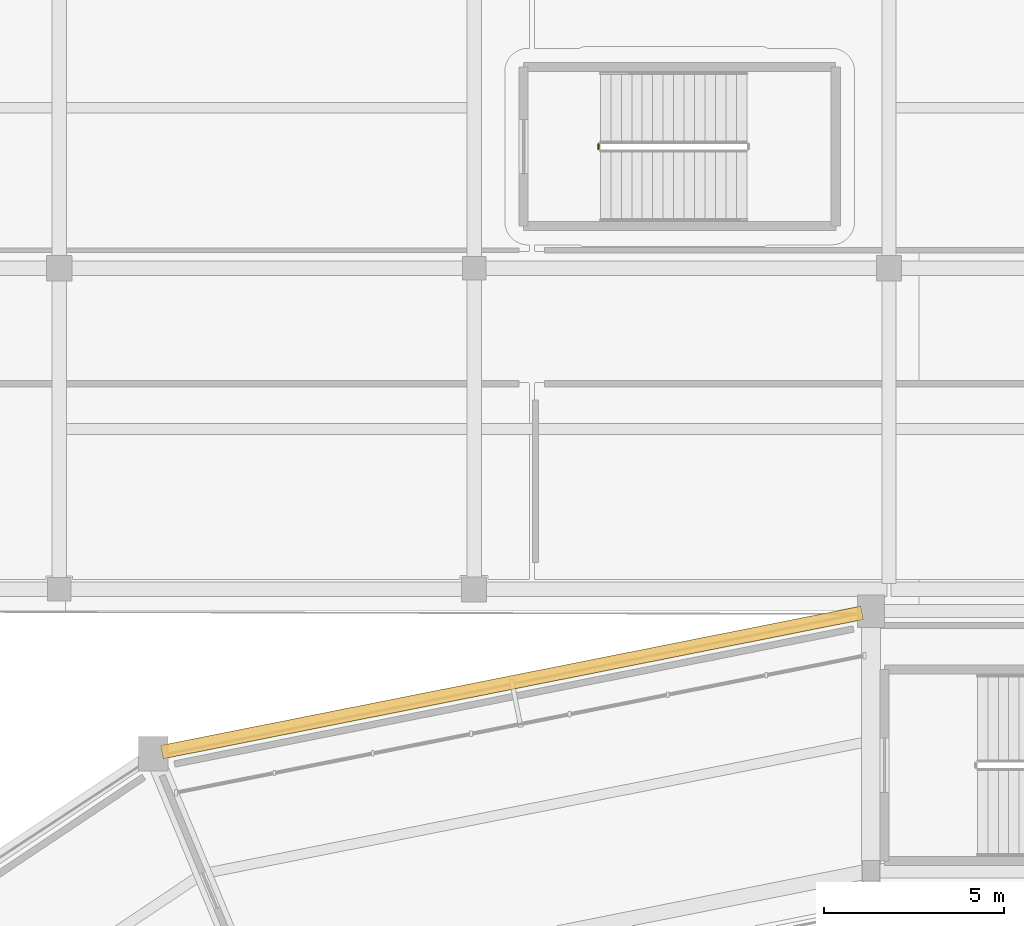
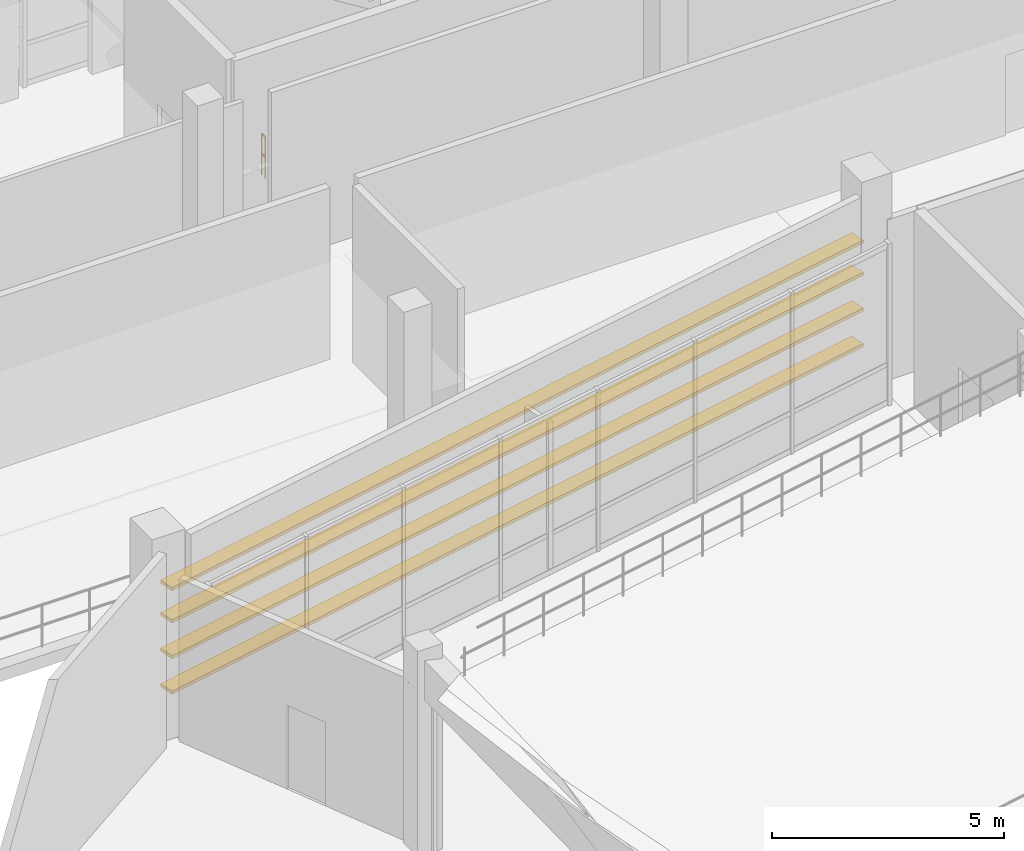
# One storey, part 120 of 127: 4 shading devices, 1 railing.
"""IFC4 building model written with IfcOpenShell, lengths in metres."""

from ifc_helpers import new_model, si_unit, direction, frame, origin, origin_2d, place, context, subcontext, project, spatial, rectangle, circle, extrude, material, layer, layer_set, type_object, element, save


model = new_model("IFC4")

# Units and contexts
model_context = context("Model", 3, precision=1e-05, world=origin(), true_north=direction((0.0, 1.0)))
body_context = subcontext(model_context, "Body", "Model", "MODEL_VIEW")
ifc_project = project(units=[si_unit("LENGTHUNIT", "METRE"), si_unit("AREAUNIT", "SQUARE_METRE"), si_unit("VOLUMEUNIT", "CUBIC_METRE"), si_unit("PLANEANGLEUNIT", "RADIAN"), si_unit("MASSUNIT", "GRAM", prefix="KILO")], contexts=[model_context])

# Site, building, storey
site_placement = place(None, origin())
site = spatial("IfcSite", under=ifc_project, at=site_placement, CompositionType="ELEMENT")
building_placement = place(site_placement, origin())
building = spatial("IfcBuilding", under=site, at=building_placement, Name="Candeia Ridge Stadium", CompositionType="ELEMENT")
storey_placement = place(building_placement, frame((0.0, 0.0, 10.800048828125)))
storey = spatial("IfcBuildingStorey", under=building, at=storey_placement, Name="L02", CompositionType="ELEMENT", Elevation=10.800048828125)

# Railing
ifc_material_1 = material(Name="Galvanized Powder-Coated Steel", Category="steel")
ifc_layer = layer(ifc_material_1, 0.06005859375, Name="Galvanized Powder-Coated Steel", Category="steel")
ifc_layer_set = layer_set([ifc_layer], Name="Galvanized Powder-Coated Steel")
railing_type = type_object("IfcRailingType", Name="Stair Well Guardrail 1100", PredefinedType="GUARDRAIL", material=ifc_layer_set)
railing_placement = place(storey_placement, frame((63.449951171875, 159.800048828125, 0.0)))
element("IfcRailing", 1, at=railing_placement, inside=storey, type_object=railing_type, Name="L02 ST15 stair guard 4", PredefinedType="GUARDRAIL", context=body_context, shape_type="SweptSolid", body=[
    extrude(circle(Radius=0.02392578125, at=origin_2d()), frame((0.0, 0.0, 1.076171875), z_axis=(0.0, 1.0, 0.0), x_axis=(-1.0, 0.0, 0.0)), (0.0, 0.0, 1.0), 0.14990234375),
    extrude(circle(Radius=0.02392578125, at=origin_2d()), frame((0.0, 0.0, 0.550048828125), z_axis=(0.0, 1.0, 0.0), x_axis=(-1.0, 0.0, 0.0)), (0.0, 0.0, 1.0), 0.14990234375),
    extrude(circle(Radius=0.02099609375, at=origin_2d()), origin(), (0.0, 0.0, 1.0), 1.052001953125),
    extrude(circle(Radius=0.02099609375, at=origin_2d()), frame((0.0, 0.14990234375, 0.0)), (0.0, 0.0, 1.0), 1.052001953125),
])

# Shading devices
ifc_material_2 = material(Name="Aluminium Anodized Warm Bronze", Category="aluminium")
shading_device_type = type_object("IfcShadingDeviceType", Name="Weathered Bronze Horizontal Solar Rib 380x85", PredefinedType="JALOUSIE", material=ifc_material_2)
for number, where, z_axis, x_axis, name in (
    (2, (61.05029296875, 145.020751953125, 0.8935546875), (0.0, 0.0, 1.0), (-0.980785282416, -0.195090311899, 0.0), "Weathered bronze horizontal solar rib L02 bay 08-1"),
    (3, (61.05029296875, 145.020751953125, 1.82958984375), (0.0, 0.0, 1.0), (-0.980785282416, -0.195090311899, 0.0), "Weathered bronze horizontal solar rib L02 bay 08-2"),
    (4, (61.05029296875, 145.020751953125, 2.765869140625), (0.0, 0.0, 1.0), (-0.980785282416, -0.195090311899, 0.0), "Weathered bronze horizontal solar rib L02 bay 08-3"),
    (5, (61.05029296875, 145.020751953125, 3.61669921875), (0.0, 0.0, 1.0), (-0.980785282416, -0.195090311899, 0.0), "Weathered bronze horizontal solar rib L02 bay 08-4"),
):
    element("IfcShadingDevice", number, at=place(storey_placement, frame(where, z_axis=z_axis, x_axis=x_axis)), inside=storey, type_object=shading_device_type, Name=name, PredefinedType="JALOUSIE", context=body_context, shape_type="SweptSolid", body=[
        extrude(rectangle(XDim=19.789306640625, YDim=0.3798828125, at=origin_2d()), origin(), (0.0, 0.0, 1.0), 0.0849609375),
    ])

save(model, "model.ifc")
